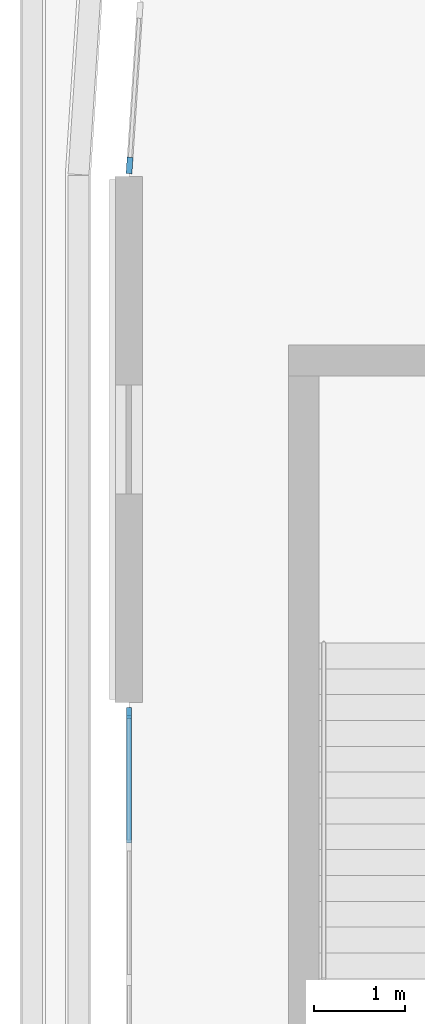
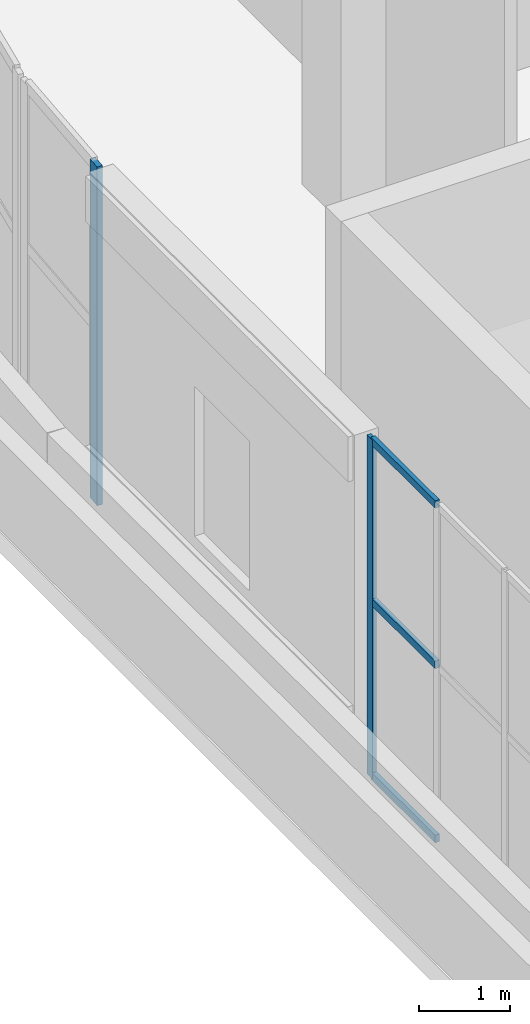
# One storey, part 4 of 67: 5 members, 2 elements without a shape of their own.
"""IFC4 building model written with IfcOpenShell, lengths in metres."""

from ifc_helpers import new_model, si_unit, direction, frame, origin, origin_2d, place, context, subcontext, project, spatial, rectangle, extrude, material, layer, layer_set, material_profile, profile_set, type_object, element, aggregate, save


model = new_model("IFC4")

# Units and contexts
model_context = context("Model", 3, precision=1e-05, world=origin(), true_north=direction((0.0, 1.0)))
body_context = subcontext(model_context, "Body", "Model", "MODEL_VIEW")
ifc_project = project(units=[si_unit("LENGTHUNIT", "METRE"), si_unit("AREAUNIT", "SQUARE_METRE"), si_unit("VOLUMEUNIT", "CUBIC_METRE"), si_unit("PLANEANGLEUNIT", "RADIAN"), si_unit("MASSUNIT", "GRAM", prefix="KILO")], contexts=[model_context])

# Site, building, storey
site_placement = place(None, origin())
site = spatial("IfcSite", under=ifc_project, at=site_placement, CompositionType="ELEMENT")
building_placement = place(site_placement, origin())
building = spatial("IfcBuilding", under=site, at=building_placement, Name="Cendralis Terraced Arcade", CompositionType="ELEMENT")
storey_placement = place(building_placement, frame((0.0, 0.0, 15.0)))
storey = spatial("IfcBuildingStorey", under=building, at=storey_placement, Name="L03", CompositionType="ELEMENT", Elevation=15.0)

# Curtain wall, members
ifc_material = material(Name="Anodised aluminium EN AW-6063 T6", Category="aluminium")
ifc_layer_1 = layer(ifc_material, 0.1201171875, Name="CW-STORE-B")
ifc_layer_set_1 = layer_set([ifc_layer_1], Name="Anodised aluminium EN AW-6063 T6")
curtain_wall_type_1 = type_object("IfcCurtainWallType", Name="CW-STORE-B", PredefinedType="USERDEFINED", material=ifc_layer_set_1)
curtain_wall_1_placement = place(storey_placement, origin())
curtain_wall_1 = element("IfcCurtainWall", 1, at=curtain_wall_1_placement, inside=storey, type_object=curtain_wall_type_1, Name="Exterior Storefront Glazing CW-L03-0297", ObjectType="STOREFRONT GLAZING", PredefinedType="USERDEFINED")
ifc_material_profile_1 = material_profile(ifc_material, rectangle(XDim=0.054931640625, YDim=0.1201171875, at=origin_2d()), Name="ALU-MUL-55x120")
ifc_profile_set_1 = profile_set([ifc_material_profile_1], Name="Anodised aluminium EN AW-6063 T6")
member_type_1 = type_object("IfcMemberType", Name="CW-STORE-B-MUL", PredefinedType="MULLION", material=ifc_profile_set_1)
member_1_placement = place(storey_placement, frame((4.199951171875, 28.6826171875, 0.0), z_axis=(0.0, 0.0, 1.0), x_axis=(-1.0, 0.0, 0.0)))
member_1 = element("IfcMember", 2, at=member_1_placement, type_object=member_type_1, Name="CW-S2 mullion 7", PredefinedType="MULLION", context=body_context, shape_type="SweptSolid", body=[
    extrude(rectangle(XDim=0.054931640625, YDim=0.1201171875, at=origin_2d()), origin(), (0.0, 0.0, 1.0), 4.52001953125),
])
ifc_material_profile_2 = material_profile(ifc_material, rectangle(XDim=0.054931640625, YDim=0.10009765625, at=origin_2d()), Name="ALU-TRN-55x100")
ifc_profile_set_2 = profile_set([ifc_material_profile_2], Name="Anodised aluminium EN AW-6063 T6")
member_type_2 = type_object("IfcMemberType", Name="CW-STORE-B-TRN", PredefinedType="USERDEFINED", material=ifc_profile_set_2)
member_2_placement = place(storey_placement, frame((4.199951171875, 27.250732421875, 0.027587890625), z_axis=(0.0, 1.0, 0.0), x_axis=(-1.0, 0.0, 0.0)))
member_2 = element("IfcMember", 3, at=member_2_placement, type_object=member_type_2, Name="CW-S2 transom 6.1", ObjectType="TRANSOM", PredefinedType="USERDEFINED", context=body_context, shape_type="SweptSolid", body=[
    extrude(rectangle(XDim=0.054931640625, YDim=0.10009765625, at=origin_2d()), origin(), (0.0, 0.0, 1.0), 1.404296875),
])
member_3_placement = place(storey_placement, frame((4.199951171875, 27.250732421875, 2.350341796875), z_axis=(0.0, 1.0, 0.0), x_axis=(-1.0, 0.0, 0.0)))
member_3 = element("IfcMember", 4, at=member_3_placement, type_object=member_type_2, Name="CW-S2 transom 6.2", ObjectType="TRANSOM", PredefinedType="USERDEFINED", context=body_context, shape_type="SweptSolid", body=[
    extrude(rectangle(XDim=0.054931640625, YDim=0.10009765625, at=origin_2d()), origin(), (0.0, 0.0, 1.0), 1.404296875),
])
member_4_placement = place(storey_placement, frame((4.199951171875, 27.250732421875, 4.492431640625), z_axis=(0.0, 1.0, 0.0), x_axis=(-1.0, 0.0, 0.0)))
member_4 = element("IfcMember", 5, at=member_4_placement, type_object=member_type_2, Name="CW-S2 transom 6.3", ObjectType="TRANSOM", PredefinedType="USERDEFINED", context=body_context, shape_type="SweptSolid", body=[
    extrude(rectangle(XDim=0.054931640625, YDim=0.10009765625, at=origin_2d()), origin(), (0.0, 0.0, 1.0), 1.404296875),
])
aggregate(curtain_wall_1, [member_1, member_2, member_3, member_4])

# Curtain wall, member
ifc_layer_2 = layer(ifc_material, 0.179931640625, Name="CW-UNIT-A")
ifc_layer_set_2 = layer_set([ifc_layer_2], Name="Anodised aluminium EN AW-6063 T6")
curtain_wall_type_2 = type_object("IfcCurtainWallType", Name="CW-UNIT-A", PredefinedType="USERDEFINED", material=ifc_layer_set_2)
curtain_wall_2_placement = place(storey_placement, origin())
curtain_wall_2 = element("IfcCurtainWall", 6, at=curtain_wall_2_placement, inside=storey, type_object=curtain_wall_type_2, Name="Exterior Unitised Facade CW-L03-0298", ObjectType="UNITISED FACADE", PredefinedType="USERDEFINED")
ifc_material_profile_3 = material_profile(ifc_material, rectangle(XDim=0.06494140625, YDim=0.179931640625, at=origin_2d()), Name="ALU-MUL-65x180")
ifc_profile_set_3 = profile_set([ifc_material_profile_3], Name="Anodised aluminium EN AW-6063 T6")
member_type_3 = type_object("IfcMemberType", Name="CW-UNIT-A-MUL", PredefinedType="MULLION", material=ifc_profile_set_3)
member_5_placement = place(storey_placement, frame((4.2080078125, 34.72216796875, 0.0), z_axis=(0.0, 0.0, 1.0), x_axis=(-0.997860971336, 0.065371873798, 0.0)))
member_5 = element("IfcMember", 7, at=member_5_placement, type_object=member_type_3, Name="CW-U1 mullion 1", PredefinedType="MULLION", context=body_context, shape_type="SweptSolid", body=[
    extrude(rectangle(XDim=0.06494140625, YDim=0.179931640625, at=origin_2d()), origin(), (0.0, 0.0, 1.0), 4.52001953125),
])
aggregate(curtain_wall_2, [member_5])

save(model, "model.ifc")
